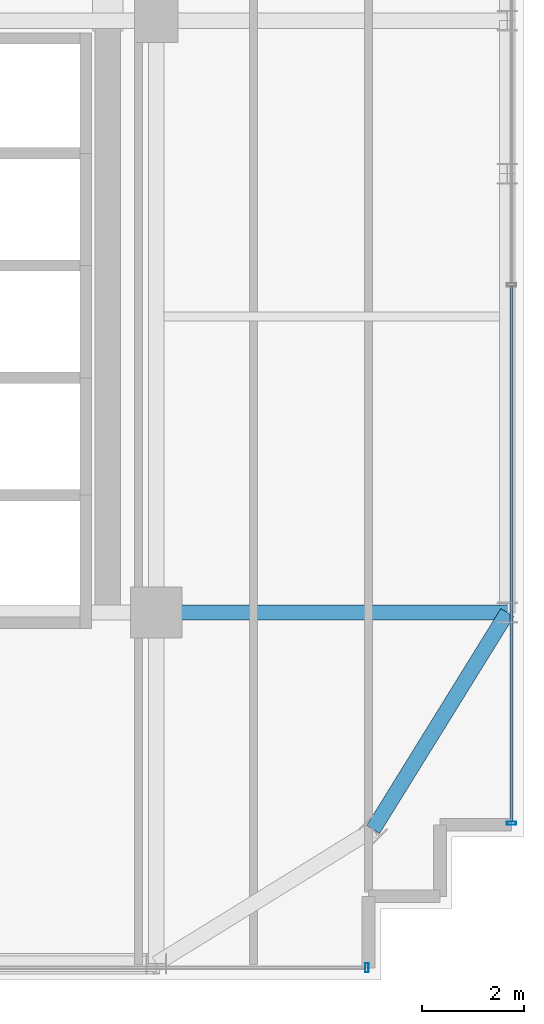
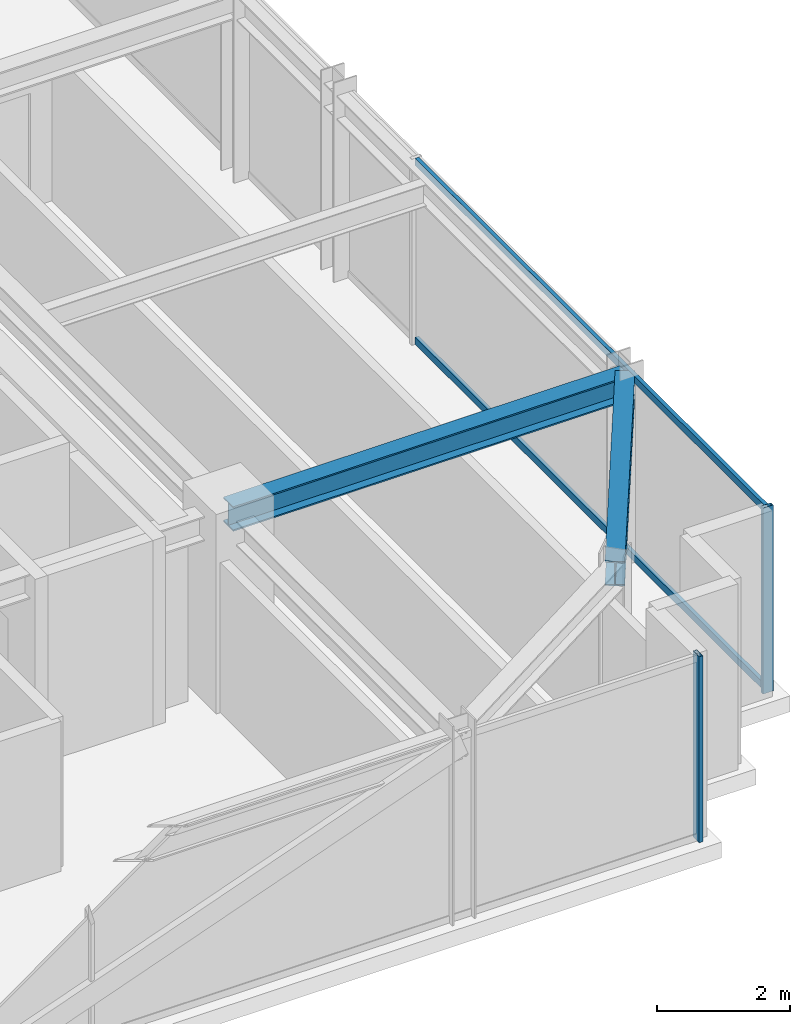
# One storey, part 14 of 36: 4 members, 2 beams, 2 elements without a shape of their own.
"""IFC4 building model written with IfcOpenShell, lengths in metres."""

import ifcopenshell
import ifcopenshell.guid

model = None  # the IFC model being written
_history = None  # IfcOwnerHistory: only IFC2X3 demands one
_inside = {}  # id of a spatial element -> (the spatial element, [elements in it])
_under = {}  # id of a project, library or spatial element -> (it, [spatial elements below it])
_declared = {}  # id of a project -> (the project, [libraries it declares])
_typed = {}  # id of a type object -> (the type object, [elements of that type])
_made_of = {}  # id of a material, layer set ... -> (it, [elements and type objects made of it])


def new_model(schema):
    """Start an empty IFC model of exactly this schema.

    Asked for "IFC4X3", IfcOpenShell would pick the latest addendum, in which some entities
    have other attributes; the version numbers below select the first issue.
    IFC2X3 requires an IfcOwnerHistory on every rooted entity: one is made here for all.
    """
    global model, _history
    if schema == "IFC4X3":
        model = ifcopenshell.file(schema_version=(4, 3, 0, 0))
    else:
        model = ifcopenshell.file(schema=schema)
    _inside.clear()
    _under.clear()
    _declared.clear()
    _typed.clear()
    _made_of.clear()
    _history = None
    if model.schema == "IFC2X3":
        org = make("IfcOrganization", Name="unknown")
        user = make(
            "IfcPersonAndOrganization",
            ThePerson=make("IfcPerson", FamilyName="unknown"),
            TheOrganization=org,
        )
        app = make(
            "IfcApplication",
            ApplicationDeveloper=org,
            Version="unknown",
            ApplicationFullName="unknown",
            ApplicationIdentifier="unknown",
        )
        _history = make(
            "IfcOwnerHistory",
            OwningUser=user,
            OwningApplication=app,
            ChangeAction="ADDED",
            CreationDate=0,
        )
    return model


def make(cls, **values):
    """One entity of the class cls with the attributes given. An attribute that is None is left unset."""
    return model.create_entity(
        cls, **{name: value for name, value in values.items() if value is not None}
    )


def rooted(cls, **values):
    """An entity with a GlobalId (a new one), such as an element, a storey or a relation."""
    return make(cls, GlobalId=ifcopenshell.guid.new(), OwnerHistory=_history, **values)


def si_unit(unit_type, name, prefix=None):
    """IfcSIUnit, for example si_unit("LENGTHUNIT", "METRE", prefix="MILLI")."""
    return make("IfcSIUnit", UnitType=unit_type, Prefix=prefix, Name=name)


def assignment(units):
    """IfcUnitAssignment: the units of a project."""
    return None if units is None else make("IfcUnitAssignment", Units=units)


def point(xyz):
    """IfcCartesianPoint."""
    return None if xyz is None else make("IfcCartesianPoint", Coordinates=xyz)


def direction(xyz):
    """IfcDirection."""
    return None if xyz is None else make("IfcDirection", DirectionRatios=xyz)


def frame(location, z_axis=None, x_axis=None):
    """IfcAxis2Placement3D, a coordinate frame: its origin and axes. An axis left out is left unset."""
    return make(
        "IfcAxis2Placement3D",
        Location=point(location),
        Axis=direction(z_axis),
        RefDirection=direction(x_axis),
    )


def frame_2d(location, x_axis=None):
    """IfcAxis2Placement2D, a coordinate frame in the plane: its origin and x axis."""
    return make(
        "IfcAxis2Placement2D", Location=point(location), RefDirection=direction(x_axis)
    )


def origin():
    """The frame at (0, 0, 0) with its axes left unset."""
    return frame((0.0, 0.0, 0.0))


def origin_2d():
    """The frame at (0, 0) in the plane with its x axis left unset."""
    return frame_2d((0.0, 0.0))


def place(relative_to, where):
    """IfcLocalPlacement: puts the frame where relative to a parent placement (None: the world)."""
    return make(
        "IfcLocalPlacement", PlacementRelTo=relative_to, RelativePlacement=where
    )


def context(
    kind, dimensions, precision=None, world=None, true_north=None, identifier=None
):
    """IfcGeometricRepresentationContext, for example the 3D "Model" context."""
    return make(
        "IfcGeometricRepresentationContext",
        ContextIdentifier=identifier,
        ContextType=kind,
        CoordinateSpaceDimension=dimensions,
        Precision=precision,
        WorldCoordinateSystem=world,
        TrueNorth=true_north,
    )


def subcontext(parent, identifier, kind, view, scale=None):
    """IfcGeometricRepresentationSubContext, for example "Body" below "Model"."""
    return make(
        "IfcGeometricRepresentationSubContext",
        ContextIdentifier=identifier,
        ContextType=kind,
        ParentContext=parent,
        TargetScale=scale,
        TargetView=view,
    )


def project(units=None, contexts=None):
    """IfcProject with its units and contexts."""
    return rooted(
        "IfcProject",
        Name="project",
        RepresentationContexts=contexts,
        UnitsInContext=assignment(units),
    )


def spatial(cls, under=None, at=None, **own):
    """A site, building, storey or space (cls), placed at a placement, below another one or the project."""
    s = rooted(cls, ObjectPlacement=at, **own)
    if under is not None:
        _under.setdefault(under.id(), (under, []))[1].append(s)
    return s


def profile(cls, at=None, kind="AREA", **sizes):
    """A parametric profile (cls). Its sizes go by their IFC names, for example OverallWidth=200.0."""
    return make(cls, ProfileType=kind, Position=at, **sizes)


def hollow_rectangle(**sizes):
    """IfcRectangleHollowProfileDef."""
    return profile("IfcRectangleHollowProfileDef", **sizes)


def i_section(**sizes):
    """IfcIShapeProfileDef."""
    return profile("IfcIShapeProfileDef", **sizes)


def extrude(swept, where, along, depth):
    """IfcExtrudedAreaSolid: the profile swept, set in the frame where, extruded along a direction by depth."""
    return make(
        "IfcExtrudedAreaSolid",
        SweptArea=swept,
        Position=where,
        ExtrudedDirection=direction(along),
        Depth=depth,
    )


def shape(context_of_items, identifier, shape_type, items):
    """IfcShapeRepresentation: the items that make up one representation, for example the "Body"."""
    return make(
        "IfcShapeRepresentation",
        ContextOfItems=context_of_items,
        RepresentationIdentifier=identifier,
        RepresentationType=shape_type,
        Items=items,
    )


def source(mapping_origin, context_of_items, identifier, shape_type, items):
    """IfcRepresentationMap: a shape defined once, which mapped items show again and again."""
    return make(
        "IfcRepresentationMap",
        MappingOrigin=mapping_origin,
        MappedRepresentation=shape(context_of_items, identifier, shape_type, items),
    )


def transform(
    local_origin,
    x_axis=None,
    y_axis=None,
    z_axis=None,
    scale=None,
    scale2=None,
    scale3=None,
    uniform=True,
):
    """IfcCartesianTransformationOperator3D, or its non-uniform kind. x_axis, y_axis, z_axis: its Axis1, 2, 3."""
    if uniform:
        return make(
            "IfcCartesianTransformationOperator3D",
            Axis1=direction(x_axis),
            Axis2=direction(y_axis),
            LocalOrigin=point(local_origin),
            Scale=scale,
            Axis3=direction(z_axis),
        )
    return make(
        "IfcCartesianTransformationOperator3DnonUniform",
        Axis1=direction(x_axis),
        Axis2=direction(y_axis),
        LocalOrigin=point(local_origin),
        Scale=scale,
        Axis3=direction(z_axis),
        Scale2=scale2,
        Scale3=scale3,
    )


def mapped(mapping_source, mapping_target):
    """IfcMappedItem: shows the shape of a source again, moved by a transform."""
    return make(
        "IfcMappedItem", MappingSource=mapping_source, MappingTarget=mapping_target
    )


def material(Name=None, Category=None):
    """IfcMaterial."""
    return make("IfcMaterial", Name=Name, Category=Category)


def material_profile(
    of_material, cross_section, Name=None, Category=None, Priority=None
):
    """IfcMaterialProfile: a cross section and its material."""
    return make(
        "IfcMaterialProfile",
        Name=Name,
        Material=of_material,
        Profile=cross_section,
        Priority=Priority,
        Category=Category,
    )


def profile_set(profiles, Name=None, composite=None):
    """IfcMaterialProfileSet."""
    return make(
        "IfcMaterialProfileSet",
        Name=Name,
        MaterialProfiles=profiles,
        CompositeProfile=composite,
    )


def made_of(thing, what):
    """Note that an element or type object is made of a material, layer set ...; save() writes the relation."""
    if what is not None:
        _made_of.setdefault(what.id(), (what, []))[1].append(thing)
    return thing


def type_object(cls, material=None, **own):
    """A type object (cls), such as IfcWallType, which elements share."""
    return made_of(rooted(cls, **own), material)


def element(
    cls,
    number,
    at=None,
    inside=None,
    cuts=None,
    type_object=None,
    material=None,
    context=None,
    identifier="Body",
    shape_type=None,
    held_by="IfcProductDefinitionShape",
    body=None,
    shapes=None,
    **own,
):
    """One element of the class cls, such as IfcWall. Its Tag is "e" and its number.

    at: its placement. inside: the storey or other place that contains it. cuts: it is an
    opening in that element (IfcRelVoidsElement). A single representation is given by context,
    identifier, shape_type and body (its items); several are given by shapes. held_by: the class
    of the entity that holds the representations. save() writes the other relations.
    """
    e = rooted(cls, Tag="e%d" % number, ObjectPlacement=at, **own)
    if body is not None:
        shapes = [shape(context, identifier, shape_type, body)]
    if shapes is not None:
        e.Representation = make(held_by, Representations=shapes)
    if inside is not None:
        _inside.setdefault(inside.id(), (inside, []))[1].append(e)
    if cuts is not None:
        rooted(
            "IfcRelVoidsElement", RelatingBuildingElement=cuts, RelatedOpeningElement=e
        )
    if type_object is not None:
        _typed.setdefault(type_object.id(), (type_object, []))[1].append(e)
    return made_of(e, material)


def aggregate(whole, parts):
    """IfcRelAggregates: a whole, such as a stair, and the parts it consists of."""
    return rooted("IfcRelAggregates", RelatingObject=whole, RelatedObjects=parts)


def save(model, path):
    """Write the relations noted so far, then the file.

    IfcRelAggregates (storeys below a building ...), IfcRelContainedInSpatialStructure (elements
    in a storey), IfcRelDefinesByType, IfcRelAssociatesMaterial and IfcRelDeclares: one each for
    every whole, place, type object, material and project.
    """
    for whole, parts in _under.values():
        aggregate(whole, parts)
    for where, things in _inside.values():
        rooted(
            "IfcRelContainedInSpatialStructure",
            RelatedElements=things,
            RelatingStructure=where,
        )
    for kind, things in _typed.values():
        rooted("IfcRelDefinesByType", RelatedObjects=things, RelatingType=kind)
    for what, things in _made_of.values():
        rooted("IfcRelAssociatesMaterial", RelatedObjects=things, RelatingMaterial=what)
    for by, libraries in _declared.values():
        rooted("IfcRelDeclares", RelatingContext=by, RelatedDefinitions=libraries)
    model.write(path)


model = new_model("IFC4")

# Units and contexts
model_context = context("Model", 3, precision=1e-05, world=origin(), true_north=direction((0.0, 1.0)))
body_context = subcontext(model_context, "Body", "Model", "MODEL_VIEW")
ifc_project = project(units=[si_unit("LENGTHUNIT", "METRE"), si_unit("AREAUNIT", "SQUARE_METRE"), si_unit("VOLUMEUNIT", "CUBIC_METRE"), si_unit("PLANEANGLEUNIT", "RADIAN"), si_unit("MASSUNIT", "GRAM", prefix="KILO")], contexts=[model_context])

# Site, building, storey
site_placement = place(None, origin())
site = spatial("IfcSite", under=ifc_project, at=site_placement, CompositionType="ELEMENT")
building_placement = place(site_placement, origin())
building = spatial("IfcBuilding", under=site, at=building_placement, Name="Nahalor Promenade Grand Hotel", CompositionType="ELEMENT")
storey_placement = place(building_placement, frame((0.0, 0.0, 241.89990234375)))
storey = spatial("IfcBuildingStorey", under=building, at=storey_placement, Name="L62", CompositionType="ELEMENT", Elevation=241.89990234375)

# Beams
ifc_material_1 = material(Name="Steel S355JR", Category="steel")
ifc_material_profile_1 = material_profile(ifc_material_1, i_section(OverallWidth=0.3, OverallDepth=0.45, WebThickness=0.014, FlangeThickness=0.026, at=origin_2d()), Name="HEB 450")
ifc_profile_set_1 = profile_set([ifc_material_profile_1], Name="Steel S355JR")
beam_type_1 = type_object("IfcBeamType", Name="Beam-Spandrel-HEB450", PredefinedType="SPANDREL", material=ifc_profile_set_1)
shared_shape_1 = source(origin(), body_context, "Body", "SweptSolid", [
    extrude(i_section(OverallWidth=0.3, OverallDepth=0.45, WebThickness=0.014, FlangeThickness=0.026, at=origin_2d()), origin(), (0.0, 0.0, 1.0), 4.997802734375),
])
beam_1_placement = place(storey_placement, frame((21.25, -21.25, 3.18505859375), z_axis=(0.526199891161, 0.850360908404, 0.0), x_axis=(-0.850360908404, 0.526199891161, 0.0)))
element("IfcBeam", 1, at=beam_1_placement, inside=storey, type_object=beam_type_1, Name="BM-L62-SPC-SE-2", PredefinedType="SPANDREL", context=body_context, shape_type="MappedRepresentation", body=[
    mapped(shared_shape_1, transform((0.0, 0.0, 0.0), scale=1.0)),
])
ifc_material_profile_2 = material_profile(ifc_material_1, i_section(OverallWidth=0.3, OverallDepth=0.45, WebThickness=0.014, FlangeThickness=0.026, at=origin_2d()), Name="HEB 450")
ifc_profile_set_2 = profile_set([ifc_material_profile_2], Name="Steel S355JR")
beam_type_2 = type_object("IfcBeamType", Name="Beam-Girder-HEB450", PredefinedType="BEAM", material=ifc_profile_set_2)
shared_shape_2 = source(origin(), body_context, "Body", "SweptSolid", [
    extrude(i_section(OverallWidth=0.3, OverallDepth=0.45, WebThickness=0.014, FlangeThickness=0.026, at=origin_2d()), origin(), (0.0, 0.0, 1.0), 6.8798828125),
])
beam_2_placement = place(storey_placement, frame((17.0, -17.0, 3.18505859375), z_axis=(1.0, 0.0, 0.0), x_axis=(0.0, 1.0, 0.0)))
element("IfcBeam", 2, at=beam_2_placement, inside=storey, type_object=beam_type_2, Name="BM-L62-GX-0-6", PredefinedType="BEAM", context=body_context, shape_type="MappedRepresentation", body=[
    mapped(shared_shape_2, transform((0.0, 0.0, 0.0), scale=1.0)),
])

# Curtain wall, member
ifc_material_2 = material(Name="Anodised Bronze Aluminium EN AW-6063 T6", Category="aluminium")
curtain_wall_type = type_object("IfcCurtainWallType", Name="CW2 Typical Hotel Flush Bronze Unitised Curtain Wall", PredefinedType="USERDEFINED", material=ifc_material_2)
curtain_wall_1_placement = place(storey_placement, origin())
curtain_wall_1 = element("IfcCurtainWall", 3, at=curtain_wall_1_placement, inside=storey, type_object=curtain_wall_type, Name="L62 Curtain Wall CW-L62-S-1", ObjectType="UNITISED_CURTAIN_WALL", PredefinedType="USERDEFINED")
ifc_material_profile_3 = material_profile(ifc_material_2, hollow_rectangle(XDim=0.065, YDim=0.18, WallThickness=0.004, at=origin_2d()), Name="CWM 65x180x4")
ifc_profile_set_3 = profile_set([ifc_material_profile_3], Name="Anodised Bronze Aluminium EN AW-6063 T6")
member_type_1 = type_object("IfcMemberType", Name="CWM2 Typical Bronze Mullion 65x180", PredefinedType="MULLION", material=ifc_profile_set_3)
shared_shape_3 = source(origin(), body_context, "Body", "SweptSolid", [
    extrude(hollow_rectangle(XDim=0.065, YDim=0.18, WallThickness=0.004, at=origin_2d()), origin(), (0.0, 0.0, 1.0), 3.41015625),
])
member_1_placement = place(storey_placement, frame((21.12744140625, -23.9599609375, 0.0), z_axis=(0.0, 0.0, 1.0), x_axis=(1.0, 0.0, 0.0)))
member_1 = element("IfcMember", 4, at=member_1_placement, type_object=member_type_1, Name="CW-L62-S-1 Mullion 4", PredefinedType="MULLION", context=body_context, shape_type="MappedRepresentation", body=[
    mapped(shared_shape_3, transform((0.0, 0.0, 0.0), scale=1.0)),
])
aggregate(curtain_wall_1, [member_1])

# Curtain wall, members
curtain_wall_2_placement = place(storey_placement, origin())
curtain_wall_2 = element("IfcCurtainWall", 5, at=curtain_wall_2_placement, inside=storey, type_object=curtain_wall_type, Name="L62 Curtain Wall CW-L62-E-1", ObjectType="UNITISED_CURTAIN_WALL", PredefinedType="USERDEFINED")
member_2_placement = place(storey_placement, frame((23.9599609375, -21.12744140625, 0.0), z_axis=(0.0, 0.0, 1.0), x_axis=(0.0, 1.0, 0.0)))
member_2 = element("IfcMember", 6, at=member_2_placement, type_object=member_type_1, Name="CW-L62-E-1 Mullion 0", PredefinedType="MULLION", context=body_context, shape_type="MappedRepresentation", body=[
    mapped(shared_shape_3, transform((0.0, 0.0, 0.0), scale=1.0)),
])
ifc_material_profile_4 = material_profile(ifc_material_2, hollow_rectangle(XDim=0.065, YDim=0.13, WallThickness=0.004, at=origin_2d()), Name="CWT 65x130x4")
ifc_profile_set_4 = profile_set([ifc_material_profile_4], Name="Anodised Bronze Aluminium EN AW-6063 T6")
member_type_2 = type_object("IfcMemberType", Name="CWT2 Typical Bronze Transom 65x130", PredefinedType="USERDEFINED", material=ifc_profile_set_4)
shared_shape_4 = source(origin(), body_context, "Body", "SweptSolid", [
    extrude(hollow_rectangle(XDim=0.065, YDim=0.13, WallThickness=0.004, at=origin_2d()), origin(), (0.0, 0.0, 1.0), 10.482421875),
])
member_3_placement = place(storey_placement, frame((23.9599609375, -21.094970703125, 0.065185546875), z_axis=(0.0, 1.0, 0.0), x_axis=(-1.0, 0.0, 0.0)))
member_3 = element("IfcMember", 7, at=member_3_placement, type_object=member_type_2, Name="CW-L62-E-1 Transom 0-0", ObjectType="TRANSOM", PredefinedType="USERDEFINED", context=body_context, shape_type="MappedRepresentation", body=[
    mapped(shared_shape_4, transform((0.0, 0.0, 0.0), scale=1.0)),
])
member_4_placement = place(storey_placement, frame((23.9599609375, -21.094970703125, 3.34521484375), z_axis=(0.0, 1.0, 0.0), x_axis=(-1.0, 0.0, 0.0)))
member_4 = element("IfcMember", 8, at=member_4_placement, type_object=member_type_2, Name="CW-L62-E-1 Transom 0-1", ObjectType="TRANSOM", PredefinedType="USERDEFINED", context=body_context, shape_type="MappedRepresentation", body=[
    mapped(shared_shape_4, transform((0.0, 0.0, 0.0), scale=1.0)),
])
aggregate(curtain_wall_2, [member_2, member_3, member_4])

save(model, "model.ifc")
